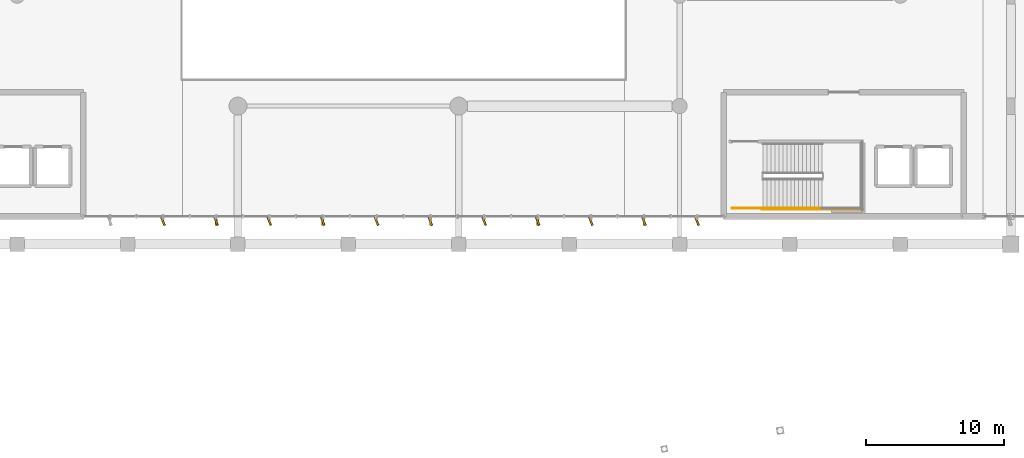
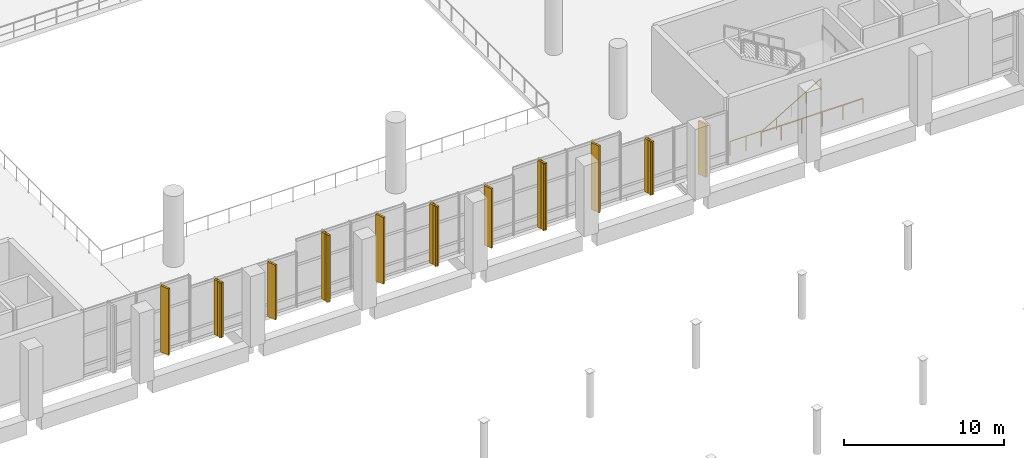
# One storey, part 161 of 176: 11 shading devices, 5 coverings, 3 railings.
"""IFC4 building model written with IfcOpenShell, lengths in metres."""

from ifc_helpers import new_model, si_unit, direction, frame, origin, origin_2d, place, context, subcontext, project, spatial, rectangle, extrude, material, layer, layer_set, type_object, element, save


model = new_model("IFC4")

# Units and contexts
model_context = context("Model", 3, precision=1e-05, world=origin(), true_north=direction((0.0, 1.0)))
body_context = subcontext(model_context, "Body", "Model", "MODEL_VIEW")
ifc_project = project(units=[si_unit("LENGTHUNIT", "METRE"), si_unit("AREAUNIT", "SQUARE_METRE"), si_unit("VOLUMEUNIT", "CUBIC_METRE"), si_unit("PLANEANGLEUNIT", "RADIAN"), si_unit("MASSUNIT", "GRAM", prefix="KILO")], contexts=[model_context])

# Site, building, storey
site_placement = place(None, origin())
site = spatial("IfcSite", under=ifc_project, at=site_placement, CompositionType="ELEMENT")
building_placement = place(site_placement, origin())
building = spatial("IfcBuilding", under=site, at=building_placement, Name="Khorjan Park Terminus", CompositionType="ELEMENT")
storey_placement = place(building_placement, frame((0.0, 0.0, 6.0)))
storey = spatial("IfcBuildingStorey", under=building, at=storey_placement, Name="L01", CompositionType="ELEMENT", Elevation=6.0)

# Coverings
ifc_material_1 = material(Name="Pigmented Precast GRC", Category="concrete")
ifc_layer = layer(ifc_material_1, 0.16)
ifc_layer_set = layer_set([ifc_layer], Name="Pigmented Precast GRC")
covering_type = type_object("IfcCoveringType", Name="CV-FIN-GRC", PredefinedType="CLADDING", material=ifc_layer_set)
covering_1_placement = place(storey_placement, frame((78.425, 27.645, -0.02), z_axis=(0.0, 0.0, 1.0), x_axis=(0.0, 1.0, 0.0)))
element("IfcCovering", 1, at=covering_1_placement, inside=storey, type_object=covering_type, Name="Projecting desert-sandstone GRC facade fin CL-FN1 (CW-V2-S-L01-03-1)", PredefinedType="CLADDING", context=body_context, shape_type="SweptSolid", body=[
    extrude(rectangle(XDim=0.58, YDim=0.16, at=origin_2d()), origin(), (0.0, 0.0, 1.0), 4.175),
])
covering_2_placement = place(storey_placement, frame((86.15, 27.645, -0.02), z_axis=(0.0, 0.0, 1.0), x_axis=(0.0, 1.0, 0.0)))
element("IfcCovering", 2, at=covering_2_placement, inside=storey, type_object=covering_type, Name="Projecting desert-sandstone GRC facade fin CL-FN1 (CW-V2-S-L01-04-1)", PredefinedType="CLADDING", context=body_context, shape_type="SweptSolid", body=[
    extrude(rectangle(XDim=0.58, YDim=0.16, at=origin_2d()), origin(), (0.0, 0.0, 1.0), 5.085),
])
covering_3_placement = place(storey_placement, frame((93.95, 27.645, -0.02), z_axis=(0.0, 0.0, 1.0), x_axis=(0.0, 1.0, 0.0)))
element("IfcCovering", 3, at=covering_3_placement, inside=storey, type_object=covering_type, Name="Projecting desert-sandstone GRC facade fin CL-FN1 (CW-V2-S-L01-05-1)", PredefinedType="CLADDING", context=body_context, shape_type="SweptSolid", body=[
    extrude(rectangle(XDim=0.58, YDim=0.16, at=origin_2d()), origin(), (0.0, 0.0, 1.0), 4.525),
])
covering_4_placement = place(storey_placement, frame((101.725, 27.645, -0.02), z_axis=(0.0, 0.0, 1.0), x_axis=(0.0, 1.0, 0.0)))
element("IfcCovering", 4, at=covering_4_placement, inside=storey, type_object=covering_type, Name="Projecting desert-sandstone GRC facade fin CL-FN1 (CW-V2-S-L01-06-1)", PredefinedType="CLADDING", context=body_context, shape_type="SweptSolid", body=[
    extrude(rectangle(XDim=0.58, YDim=0.16, at=origin_2d()), origin(), (0.0, 0.0, 1.0), 5.085),
])
covering_5_placement = place(storey_placement, frame((109.425, 27.645, -0.02), z_axis=(0.0, 0.0, 1.0), x_axis=(0.0, 1.0, 0.0)))
element("IfcCovering", 5, at=covering_5_placement, inside=storey, type_object=covering_type, Name="Projecting desert-sandstone GRC facade fin CL-FN1 (CW-V2-S-L01-07-1)", PredefinedType="CLADDING", context=body_context, shape_type="SweptSolid", body=[
    extrude(rectangle(XDim=0.58, YDim=0.16, at=origin_2d()), origin(), (0.0, 0.0, 1.0), 4.055),
])

# Railings
ifc_material_2 = material(Name="Steel S355", Category="steel")
railing_type_1 = type_object("IfcRailingType", Name="GR-112", PredefinedType="GUARDRAIL", material=ifc_material_2)
railing_1_placement = place(storey_placement, frame((115.8, 28.6, 0.0)))
element("IfcRailing", 6, at=railing_1_placement, inside=storey, type_object=railing_type_1, Name="L01 ST-02 stair guard 7", PredefinedType="GUARDRAIL", context=body_context, shape_type="SweptSolid", body=[
    extrude(rectangle(XDim=0.048, YDim=0.048, at=origin_2d()), frame((0.0, 0.0, 1.096), z_axis=(1.0, 0.0, 0.0), x_axis=(0.0, 1.0, 0.0)), (0.0, 0.0, 1.0), 2.26),
    extrude(rectangle(XDim=0.042, YDim=0.042, at=origin_2d()), origin(), (0.0, 0.0, 1.0), 1.072),
    extrude(rectangle(XDim=0.042, YDim=0.042, at=origin_2d()), frame((1.13, 0.0, 0.0)), (0.0, 0.0, 1.0), 1.072),
    extrude(rectangle(XDim=0.042, YDim=0.042, at=origin_2d()), frame((2.26, 0.0, 0.0)), (0.0, 0.0, 1.0), 1.072),
])
railing_2_placement = place(storey_placement, frame((117.96, 28.5, 0.0)))
element("IfcRailing", 7, at=railing_2_placement, inside=storey, type_object=railing_type_1, Name="L01 ST-02 stair guard 8", PredefinedType="GUARDRAIL", context=body_context, shape_type="SweptSolid", body=[
    extrude(rectangle(XDim=0.048, YDim=0.048, at=origin_2d()), frame((0.0, 0.0, 1.096), z_axis=(1.0, 0.0, 0.0), x_axis=(0.0, 1.0, 0.0)), (0.0, 0.0, 1.0), 7.34),
    extrude(rectangle(XDim=0.042, YDim=0.042, at=origin_2d()), origin(), (0.0, 0.0, 1.0), 1.072),
    extrude(rectangle(XDim=0.042, YDim=0.042, at=origin_2d()), frame((1.468, 0.0, 0.0)), (0.0, 0.0, 1.0), 1.072),
    extrude(rectangle(XDim=0.042, YDim=0.042, at=origin_2d()), frame((2.936, 0.0, 0.0)), (0.0, 0.0, 1.0), 1.072),
    extrude(rectangle(XDim=0.042, YDim=0.042, at=origin_2d()), frame((4.404, 0.0, 0.0)), (0.0, 0.0, 1.0), 1.072),
    extrude(rectangle(XDim=0.042, YDim=0.042, at=origin_2d()), frame((5.872, 0.0, 0.0)), (0.0, 0.0, 1.0), 1.072),
    extrude(rectangle(XDim=0.042, YDim=0.042, at=origin_2d()), frame((7.34, 0.0, 0.0)), (0.0, 0.0, 1.0), 1.072),
])
railing_type_2 = type_object("IfcRailingType", Name="HR-92", PredefinedType="HANDRAIL", material=ifc_material_2)
railing_3_placement = place(storey_placement, frame((118.06, 28.6, 0.1688)))
element("IfcRailing", 8, at=railing_3_placement, inside=storey, type_object=railing_type_2, Name="L01 ST-02 stair handrail 1", PredefinedType="HANDRAIL", context=body_context, shape_type="SweptSolid", body=[
    extrude(rectangle(XDim=0.048, YDim=0.048, at=origin_2d()), frame((0.0, 0.0, 0.896), z_axis=(0.860479801158, 0.0, 0.509484555015), x_axis=(0.0, 1.0, 0.0)), (0.0, 0.0, 1.0), 4.9682),
    extrude(rectangle(XDim=0.042, YDim=0.042, at=origin_2d()), origin(), (0.0, 0.0, 1.0), 0.872),
    extrude(rectangle(XDim=0.042, YDim=0.042, at=origin_2d()), frame((1.0687, 0.0, 0.6328)), (0.0, 0.0, 1.0), 0.872),
    extrude(rectangle(XDim=0.042, YDim=0.042, at=origin_2d()), frame((2.1375, 0.0, 1.2656)), (0.0, 0.0, 1.0), 0.872),
    extrude(rectangle(XDim=0.042, YDim=0.042, at=origin_2d()), frame((3.2062, 0.0, 1.8984)), (0.0, 0.0, 1.0), 0.872),
    extrude(rectangle(XDim=0.042, YDim=0.042, at=origin_2d()), frame((4.275, 0.0, 2.5312)), (0.0, 0.0, 1.0), 0.872),
])

# Shading devices
ifc_material_3 = material(Name="Anodized Bronze Aluminium", Category="aluminium")
shading_device_type = type_object("IfcShadingDeviceType", Name="SD-FIN-620", PredefinedType="JALOUSIE", material=ifc_material_3)
shading_device_placement = place(storey_placement, frame((74.575, 27.645, -0.02), z_axis=(0.0, 0.0, 1.0), x_axis=(-0.374606593416, 0.927183854567, 0.0)))
element("IfcShadingDevice", 9, at=shading_device_placement, inside=storey, type_object=shading_device_type, Name="Angled solar brise-soleil fin SF-62 (CW-V2-S-L01-02-3)", PredefinedType="JALOUSIE", context=body_context, shape_type="SweptSolid", body=[
    extrude(rectangle(XDim=0.62, YDim=0.14, at=origin_2d()), origin(), (0.0, 0.0, 1.0), 5.065),
])
for number, where, z_axis, x_axis, name in (
    (10, (78.425, 27.645, -0.02), (0.0, 0.0, 1.0), (-0.374606593416, 0.927183854567, 0.0), "Angled solar brise-soleil fin SF-62 (CW-V2-S-L01-03-1)"),
    (11, (82.275, 27.645, -0.02), (0.0, 0.0, 1.0), (-0.374606593416, 0.927183854567, 0.0), "Angled solar brise-soleil fin SF-62 (CW-V2-S-L01-03-3)"),
):
    element("IfcShadingDevice", number, at=place(storey_placement, frame(where, z_axis=z_axis, x_axis=x_axis)), inside=storey, type_object=shading_device_type, Name=name, PredefinedType="JALOUSIE", context=body_context, shape_type="SweptSolid", body=[
        extrude(rectangle(XDim=0.62, YDim=0.14, at=origin_2d()), origin(), (0.0, 0.0, 1.0), 4.175),
    ])
for number, where, z_axis, x_axis, name in (
    (12, (86.15, 27.645, -0.02), (0.0, 0.0, 1.0), (-0.374606593416, 0.927183854567, 0.0), "Angled solar brise-soleil fin SF-62 (CW-V2-S-L01-04-1)"),
    (13, (90.05, 27.645, -0.02), (0.0, 0.0, 1.0), (-0.374606593416, 0.927183854567, 0.0), "Angled solar brise-soleil fin SF-62 (CW-V2-S-L01-04-3)"),
):
    element("IfcShadingDevice", number, at=place(storey_placement, frame(where, z_axis=z_axis, x_axis=x_axis)), inside=storey, type_object=shading_device_type, Name=name, PredefinedType="JALOUSIE", context=body_context, shape_type="SweptSolid", body=[
        extrude(rectangle(XDim=0.62, YDim=0.14, at=origin_2d()), origin(), (0.0, 0.0, 1.0), 5.085),
    ])
for number, where, z_axis, x_axis, name in (
    (14, (93.95, 27.645, -0.02), (0.0, 0.0, 1.0), (-0.374606593416, 0.927183854567, 0.0), "Angled solar brise-soleil fin SF-62 (CW-V2-S-L01-05-1)"),
    (15, (97.85, 27.645, -0.02), (0.0, 0.0, 1.0), (-0.374606593416, 0.927183854567, 0.0), "Angled solar brise-soleil fin SF-62 (CW-V2-S-L01-05-3)"),
):
    element("IfcShadingDevice", number, at=place(storey_placement, frame(where, z_axis=z_axis, x_axis=x_axis)), inside=storey, type_object=shading_device_type, Name=name, PredefinedType="JALOUSIE", context=body_context, shape_type="SweptSolid", body=[
        extrude(rectangle(XDim=0.62, YDim=0.14, at=origin_2d()), origin(), (0.0, 0.0, 1.0), 4.525),
    ])
for number, where, z_axis, x_axis, name in (
    (16, (101.725, 27.645, -0.02), (0.0, 0.0, 1.0), (-0.374606593416, 0.927183854567, 0.0), "Angled solar brise-soleil fin SF-62 (CW-V2-S-L01-06-1)"),
    (17, (105.575, 27.645, -0.02), (0.0, 0.0, 1.0), (-0.374606593416, 0.927183854567, 0.0), "Angled solar brise-soleil fin SF-62 (CW-V2-S-L01-06-3)"),
):
    element("IfcShadingDevice", number, at=place(storey_placement, frame(where, z_axis=z_axis, x_axis=x_axis)), inside=storey, type_object=shading_device_type, Name=name, PredefinedType="JALOUSIE", context=body_context, shape_type="SweptSolid", body=[
        extrude(rectangle(XDim=0.62, YDim=0.14, at=origin_2d()), origin(), (0.0, 0.0, 1.0), 5.085),
    ])
for number, where, z_axis, x_axis, name in (
    (18, (109.425, 27.645, -0.02), (0.0, 0.0, 1.0), (-0.374606593416, 0.927183854567, 0.0), "Angled solar brise-soleil fin SF-62 (CW-V2-S-L01-07-1)"),
    (19, (113.275, 27.645, -0.02), (0.0, 0.0, 1.0), (-0.374606593416, 0.927183854567, 0.0), "Angled solar brise-soleil fin SF-62 (CW-V2-S-L01-07-3)"),
):
    element("IfcShadingDevice", number, at=place(storey_placement, frame(where, z_axis=z_axis, x_axis=x_axis)), inside=storey, type_object=shading_device_type, Name=name, PredefinedType="JALOUSIE", context=body_context, shape_type="SweptSolid", body=[
        extrude(rectangle(XDim=0.62, YDim=0.14, at=origin_2d()), origin(), (0.0, 0.0, 1.0), 4.055),
    ])

save(model, "model.ifc")
